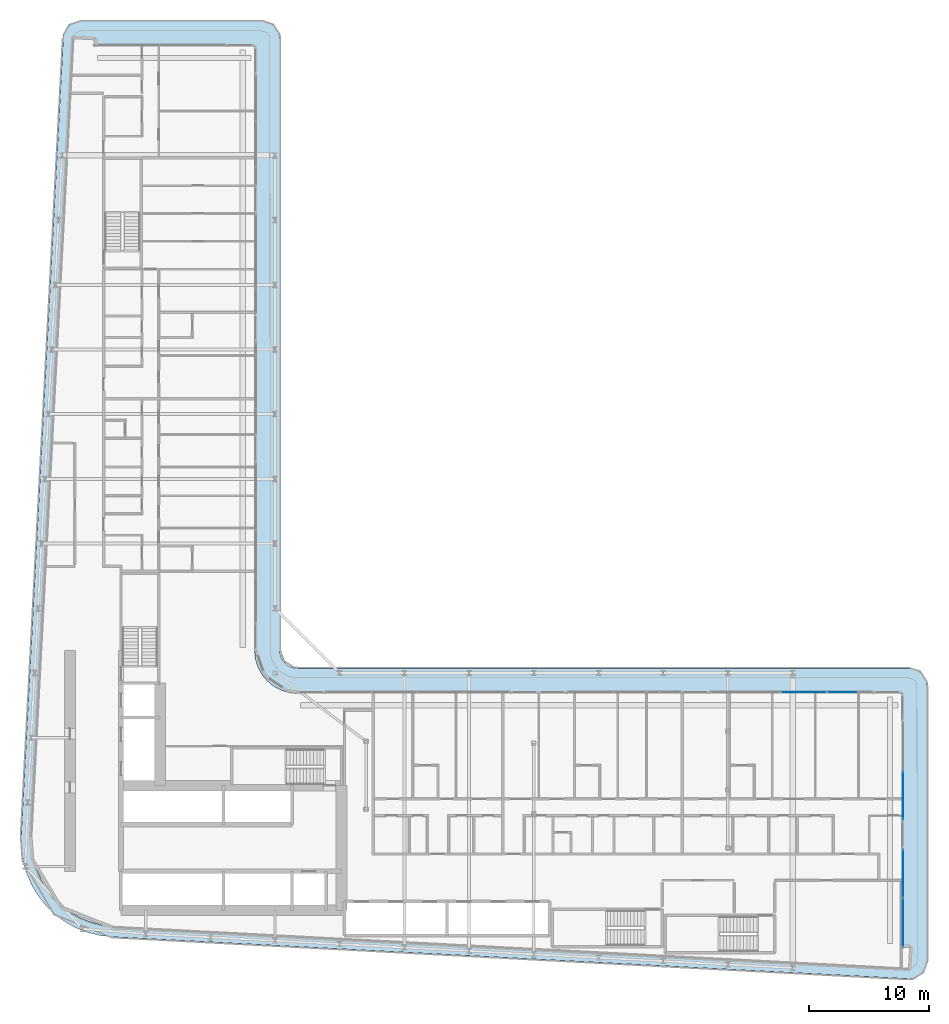
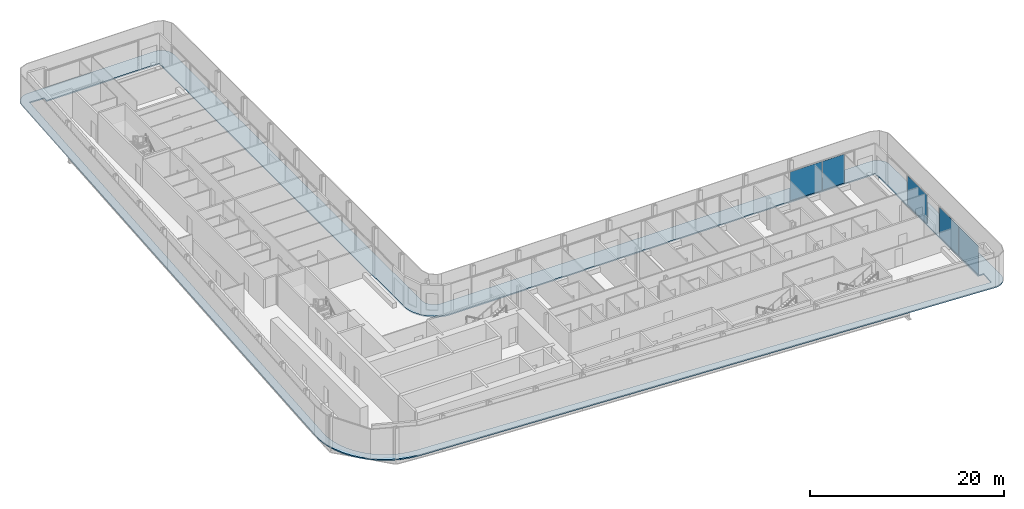
# One storey, part 12 of 29: 5 plates, 1 slab, 3 elements without a shape of their own.
"""IFC4 building model written with IfcOpenShell, lengths in metres."""

from ifc_helpers import new_model, si_unit, direction, frame, origin, origin_2d, place, context, subcontext, project, spatial, polyline, rectangle, outline, extrude, material, layer, layer_set, type_object, element, aggregate, save


model = new_model("IFC4")

# Units and contexts
model_context = context("Model", 3, precision=1e-05, world=origin(), true_north=direction((0.0, 1.0)))
body_context = subcontext(model_context, "Body", "Model", "MODEL_VIEW")
ifc_project = project(units=[si_unit("LENGTHUNIT", "METRE"), si_unit("AREAUNIT", "SQUARE_METRE"), si_unit("VOLUMEUNIT", "CUBIC_METRE"), si_unit("PLANEANGLEUNIT", "RADIAN"), si_unit("MASSUNIT", "GRAM", prefix="KILO")], contexts=[model_context])

# Site, building, storey
site_placement = place(None, origin())
site = spatial("IfcSite", under=ifc_project, at=site_placement, CompositionType="ELEMENT")
building_placement = place(site_placement, origin())
building = spatial("IfcBuilding", under=site, at=building_placement, Name="Kheshtan School and Residences Tower", CompositionType="ELEMENT")
storey_placement = place(building_placement, frame((0.0, 0.0, 117.5)))
storey = spatial("IfcBuildingStorey", under=building, at=storey_placement, Name="L27", CompositionType="ELEMENT", Elevation=117.5)

# Curtain wall, plates
ifc_material_1 = material(Name="Clear low-e glass in thermally broken aluminium frame", Category="aluminium")
ifc_layer_1 = layer(ifc_material_1, 0.199951171875)
ifc_layer_set_1 = layer_set([ifc_layer_1], Name="Curtain wall CW-L")
curtain_wall_type = type_object("IfcCurtainWallType", Name="Curtain wall CW-L", PredefinedType="NOTDEFINED", material=ifc_layer_set_1)
curtain_wall_1_placement = place(storey_placement, origin())
curtain_wall_1 = element("IfcCurtainWall", 1, at=curtain_wall_1_placement, inside=storey, type_object=curtain_wall_type, Name="Curtain wall CWL12k", PredefinedType="NOTDEFINED")
ifc_layer_2 = layer(ifc_material_1, 0.031982421875)
ifc_layer_set_2 = layer_set([ifc_layer_2], Name="CW-L glass panel")
plate_type = type_object("IfcPlateType", Name="CW-L glass panel", PredefinedType="CURTAIN_PANEL", material=ifc_layer_set_2)
plate_1_placement = place(storey_placement, frame((91.714599609375, 44.0, 0.0), z_axis=(0.0, 0.0, 1.0), x_axis=(1.0, 0.0, 0.0)))
plate_1 = element("IfcPlate", 2, at=plate_1_placement, type_object=plate_type, Name="CWL12k panel 1.1", PredefinedType="CURTAIN_PANEL", context=body_context, shape_type="SweptSolid", body=[
    extrude(rectangle(XDim=3.81689453125, YDim=0.031982421875, at=origin_2d()), origin(), (0.0, 0.0, 1.0), 3.6298828125),
])
plate_2_placement = place(storey_placement, frame((94.9765625, 44.0, 0.0), z_axis=(0.0, 0.0, 1.0), x_axis=(1.0, 0.0, 0.0)))
plate_2 = element("IfcPlate", 3, at=plate_2_placement, type_object=plate_type, Name="CWL12k panel 2.1", PredefinedType="CURTAIN_PANEL", context=body_context, shape_type="SweptSolid", body=[
    extrude(rectangle(XDim=2.5869140625, YDim=0.031982421875, at=origin_2d()), origin(), (0.0, 0.0, 1.0), 3.6298828125),
])
aggregate(curtain_wall_1, [plate_1, plate_2])

# Curtain wall, plate
curtain_wall_2_placement = place(storey_placement, origin())
curtain_wall_2 = element("IfcCurtainWall", 4, at=curtain_wall_2_placement, inside=storey, type_object=curtain_wall_type, Name="Curtain wall CWL13b", PredefinedType="NOTDEFINED")
plate_3_placement = place(storey_placement, frame((100.0, 35.370361328125, 0.0), z_axis=(0.0, 0.0, 1.0), x_axis=(0.0, -1.0, 0.0)))
plate_3 = element("IfcPlate", 5, at=plate_3_placement, type_object=plate_type, Name="CWL13b panel 2.1", PredefinedType="CURTAIN_PANEL", context=body_context, shape_type="SweptSolid", body=[
    extrude(rectangle(XDim=4.006591796875, YDim=0.031982421875, at=origin_2d()), origin(), (0.0, 0.0, 1.0), 3.6298828125),
])
aggregate(curtain_wall_2, [plate_3])

# Curtain wall, plates
curtain_wall_3_placement = place(storey_placement, origin())
curtain_wall_3 = element("IfcCurtainWall", 6, at=curtain_wall_3_placement, inside=storey, type_object=curtain_wall_type, Name="Curtain wall CWL13b", PredefinedType="NOTDEFINED")
plate_4_placement = place(storey_placement, frame((100.0, 28.84375, 0.0), z_axis=(0.0, 0.0, 1.0), x_axis=(0.0, -1.0, 0.0)))
plate_4 = element("IfcPlate", 7, at=plate_4_placement, type_object=plate_type, Name="CWL13b panel 1.1", PredefinedType="CURTAIN_PANEL", context=body_context, shape_type="SweptSolid", body=[
    extrude(rectangle(XDim=4.006591796875, YDim=0.031982421875, at=origin_2d()), origin(), (0.0, 0.0, 1.0), 3.6298828125),
])
plate_5_placement = place(storey_placement, frame((100.0, 24.77734375, 0.0), z_axis=(0.0, 0.0, 1.0), x_axis=(0.0, -1.0, 0.0)))
plate_5 = element("IfcPlate", 8, at=plate_5_placement, type_object=plate_type, Name="CWL13b panel 2.1", PredefinedType="CURTAIN_PANEL", context=body_context, shape_type="SweptSolid", body=[
    extrude(rectangle(XDim=4.006591796875, YDim=0.031982421875, at=origin_2d()), origin(), (0.0, 0.0, 1.0), 3.6298828125),
])
aggregate(curtain_wall_3, [plate_4, plate_5])

# Slab
ifc_material_2 = material(Name="Concrete C40/50", Category="concrete")
ifc_layer_3 = layer(ifc_material_2, 0.14990234375)
ifc_layer_set_3 = layer_set([ifc_layer_3], Name="Loggia balcony slab 150 Concrete C40/50")
slab_type = type_object("IfcSlabType", Name="Loggia balcony slab 150 Concrete C40/50", PredefinedType="FLOOR", material=ifc_layer_set_3)
slab_placement = place(storey_placement, frame((0.0, 0.0, -0.14990234375)))
element("IfcSlab", 9, at=slab_placement, inside=storey, type_object=slab_type, Name="Loggia balcony slab L27", PredefinedType="FLOOR", context=body_context, shape_type="SweptSolid", body=[
    extrude(outline(polyline([(28.4580078125, 26.222900390625), (28.45703125, 26.222900390625), (28.45703125, 26.22412109375), (28.4560546875, 26.22412109375), (27.81494140625, 27.0390625), (27.281005859375, 27.93798828125), (26.867919921875, 28.89990234375), (26.583984375, 29.89990234375), (26.583984375, 29.906982421875), (26.43408203125, 30.943115234375), (26.419921875, 31.989013671875), (29.925048828125, 98.5791015625), (29.930908203125, 98.626953125), (29.930908203125, 98.6279296875), (29.929931640625, 98.6279296875), (29.929931640625, 98.62890625), (29.928955078125, 98.62890625), (29.928955078125, 98.6298828125), (29.927978515625, 98.6298828125), (29.927978515625, 98.631103515625), (29.927001953125, 98.631103515625), (29.927001953125, 98.632080078125), (29.927001953125, 98.633056640625), (29.945068359375, 98.781005859375), (29.945068359375, 98.783935546875), (29.945068359375, 98.784912109375), (29.946044921875, 98.784912109375), (29.946044921875, 98.785888671875), (29.947021484375, 98.785888671875), (29.947021484375, 98.787109375), (29.947998046875, 98.787109375), (29.948974609375, 98.787109375), (29.948974609375, 98.7880859375), (29.949951171875, 98.7880859375), (29.949951171875, 98.7890625), (29.949951171875, 98.791015625), (30.0029296875, 98.98388671875), (30.083984375, 99.175048828125), (30.18896484375, 99.35302734375), (30.31103515625, 99.507080078125), (30.31201171875, 99.507080078125), (30.31201171875, 99.508056640625), (30.31298828125, 99.508056640625), (30.31298828125, 99.509033203125), (30.31396484375, 99.509033203125), (30.31396484375, 99.510009765625), (30.31494140625, 99.510009765625), (30.31494140625, 99.510986328125), (30.31591796875, 99.510986328125), (30.31591796875, 99.511962890625), (30.31689453125, 99.511962890625), (30.31689453125, 99.512939453125), (30.318115234375, 99.512939453125), (30.320068359375, 99.512939453125), (30.321044921875, 99.512939453125), (30.321044921875, 99.513916015625), (30.468017578125, 99.656982421875), (30.468994140625, 99.656982421875), (30.468994140625, 99.657958984375), (30.469970703125, 99.657958984375), (30.469970703125, 99.658935546875), (30.470947265625, 99.658935546875), (30.470947265625, 99.659912109375), (30.471923828125, 99.659912109375), (30.471923828125, 99.660888671875), (30.472900390625, 99.660888671875), (30.472900390625, 99.662109375), (30.47412109375, 99.662109375), (30.47412109375, 99.6630859375), (30.47509765625, 99.6630859375), (30.47509765625, 99.6640625), (30.635986328125, 99.777099609375), (30.820068359375, 99.873046875), (31.007080078125, 99.943115234375), (31.013916015625, 99.943115234375), (31.217041015625, 99.986083984375), (31.423095703125, 100.0), (46.5, 100.0), (46.696044921875, 99.987060546875), (46.887939453125, 99.948974609375), (46.89501953125, 99.948974609375), (47.073974609375, 99.885986328125), (47.243896484375, 99.801025390625), (47.2451171875, 99.801025390625), (47.2470703125, 99.801025390625), (47.248046875, 99.801025390625), (47.248046875, 99.802001953125), (47.2490234375, 99.802001953125), (47.2490234375, 99.802978515625), (47.25, 99.802978515625), (47.2529296875, 99.802978515625), (47.25390625, 99.802978515625), (47.25390625, 99.802001953125), (47.2548828125, 99.802001953125), (47.2548828125, 99.801025390625), (47.256103515625, 99.801025390625), (47.256103515625, 99.800048828125), (47.257080078125, 99.800048828125), (47.257080078125, 99.799072265625), (47.258056640625, 99.799072265625), (47.258056640625, 99.798095703125), (47.412109375, 99.696044921875), (47.4130859375, 99.696044921875), (47.4130859375, 99.695068359375), (47.4140625, 99.695068359375), (47.4140625, 99.694091796875), (47.4140625, 99.68994140625), (47.4140625, 99.68896484375), (47.4150390625, 99.68896484375), (47.4150390625, 99.68798828125), (47.416015625, 99.68798828125), (47.416015625, 99.68701171875), (47.4169921875, 99.68701171875), (47.4169921875, 99.68603515625), (47.554931640625, 99.568115234375), (47.554931640625, 99.56689453125), (47.555908203125, 99.56689453125), (47.555908203125, 99.56591796875), (47.556884765625, 99.56591796875), (47.556884765625, 99.56494140625), (47.55810546875, 99.56494140625), (47.55810546875, 99.56396484375), (47.55908203125, 99.56396484375), (47.55908203125, 99.56298828125), (47.56005859375, 99.56298828125), (47.56005859375, 99.56201171875), (47.56103515625, 99.56201171875), (47.56201171875, 99.56103515625), (47.56201171875, 99.56005859375), (47.56298828125, 99.56005859375), (47.56298828125, 99.55908203125), (47.56396484375, 99.55908203125), (47.56396484375, 99.55810546875), (47.56494140625, 99.55810546875), (47.56494140625, 99.556884765625), (47.56591796875, 99.556884765625), (47.56591796875, 99.555908203125), (47.56689453125, 99.555908203125), (47.56689453125, 99.554931640625), (47.568115234375, 99.554931640625), (47.68505859375, 99.41796875), (47.68603515625, 99.41796875), (47.68603515625, 99.4169921875), (47.68701171875, 99.4169921875), (47.68701171875, 99.416015625), (47.68798828125, 99.416015625), (47.68798828125, 99.4150390625), (47.68896484375, 99.4150390625), (47.68896484375, 99.4140625), (47.68994140625, 99.4140625), (47.694091796875, 99.4140625), (47.695068359375, 99.4140625), (47.695068359375, 99.4130859375), (47.696044921875, 99.4130859375), (47.696044921875, 99.412109375), (47.797119140625, 99.259033203125), (47.798095703125, 99.259033203125), (47.798095703125, 99.258056640625), (47.799072265625, 99.258056640625), (47.799072265625, 99.257080078125), (47.800048828125, 99.257080078125), (47.800048828125, 99.256103515625), (47.801025390625, 99.256103515625), (47.801025390625, 99.2548828125), (47.802001953125, 99.2548828125), (47.802001953125, 99.25390625), (47.802978515625, 99.25390625), (47.802978515625, 99.2529296875), (47.802978515625, 99.25), (47.802978515625, 99.2490234375), (47.802001953125, 99.2490234375), (47.802001953125, 99.248046875), (47.801025390625, 99.248046875), (47.801025390625, 99.2470703125), (47.801025390625, 99.243896484375), (47.801025390625, 99.242919921875), (47.885986328125, 99.073974609375), (47.948974609375, 98.89501953125), (47.948974609375, 98.887939453125), (47.987060546875, 98.696044921875), (48.0, 98.5), (48.0, 47.5), (48.012939453125, 47.303955078125), (48.051025390625, 47.113037109375), (48.051025390625, 47.10693359375), (48.051025390625, 47.10595703125), (48.114013671875, 46.926025390625), (48.200927734375, 46.75), (48.31005859375, 46.5869140625), (48.431884765625, 46.444091796875), (48.43310546875, 46.444091796875), (48.43310546875, 46.443115234375), (48.43408203125, 46.443115234375), (48.43408203125, 46.44189453125), (48.43505859375, 46.44189453125), (48.43505859375, 46.44091796875), (48.43603515625, 46.44091796875), (48.43603515625, 46.43994140625), (48.43701171875, 46.43994140625), (48.43701171875, 46.43896484375), (48.43798828125, 46.43896484375), (48.43896484375, 46.43798828125), (48.43896484375, 46.43701171875), (48.43994140625, 46.43701171875), (48.43994140625, 46.43603515625), (48.44091796875, 46.43603515625), (48.44091796875, 46.43505859375), (48.44189453125, 46.43505859375), (48.44189453125, 46.43408203125), (48.443115234375, 46.43408203125), (48.443115234375, 46.43310546875), (48.444091796875, 46.43310546875), (48.444091796875, 46.431884765625), (48.5869140625, 46.31005859375), (48.75, 46.200927734375), (48.926025390625, 46.114013671875), (49.10595703125, 46.051025390625), (49.10693359375, 46.051025390625), (49.113037109375, 46.051025390625), (49.303955078125, 46.012939453125), (49.5, 46.0), (100.5, 46.0), (100.696044921875, 45.987060546875), (100.887939453125, 45.948974609375), (100.89501953125, 45.948974609375), (101.073974609375, 45.885986328125), (101.241943359375, 45.801025390625), (101.242919921875, 45.801025390625), (101.2470703125, 45.801025390625), (101.248046875, 45.801025390625), (101.248046875, 45.802001953125), (101.2490234375, 45.802001953125), (101.2490234375, 45.802978515625), (101.25, 45.802978515625), (101.2529296875, 45.802978515625), (101.25390625, 45.802978515625), (101.25390625, 45.802001953125), (101.2548828125, 45.802001953125), (101.2548828125, 45.801025390625), (101.256103515625, 45.801025390625), (101.256103515625, 45.800048828125), (101.257080078125, 45.800048828125), (101.257080078125, 45.799072265625), (101.258056640625, 45.799072265625), (101.258056640625, 45.798095703125), (101.259033203125, 45.798095703125), (101.259033203125, 45.797119140625), (101.260009765625, 45.797119140625), (101.260009765625, 45.7958984375), (101.412109375, 45.696044921875), (101.4130859375, 45.696044921875), (101.4130859375, 45.695068359375), (101.4140625, 45.695068359375), (101.4140625, 45.694091796875), (101.4140625, 45.68994140625), (101.4140625, 45.68896484375), (101.4150390625, 45.68896484375), (101.4150390625, 45.68798828125), (101.416015625, 45.68798828125), (101.416015625, 45.68701171875), (101.4169921875, 45.68701171875), (101.4169921875, 45.68603515625), (101.41796875, 45.68603515625), (101.41796875, 45.68505859375), (101.4189453125, 45.68505859375), (101.4189453125, 45.68408203125), (101.554931640625, 45.568115234375), (101.554931640625, 45.56689453125), (101.555908203125, 45.56689453125), (101.555908203125, 45.56591796875), (101.556884765625, 45.56591796875), (101.556884765625, 45.56494140625), (101.55810546875, 45.56494140625), (101.55810546875, 45.56396484375), (101.55908203125, 45.56396484375), (101.55908203125, 45.56298828125), (101.56005859375, 45.56298828125), (101.56005859375, 45.56201171875), (101.56103515625, 45.56201171875), (101.56201171875, 45.56103515625), (101.56201171875, 45.56005859375), (101.56298828125, 45.56005859375), (101.56298828125, 45.55908203125), (101.56396484375, 45.55908203125), (101.56396484375, 45.55810546875), (101.56494140625, 45.55810546875), (101.56494140625, 45.556884765625), (101.56591796875, 45.556884765625), (101.56591796875, 45.555908203125), (101.56689453125, 45.555908203125), (101.56689453125, 45.554931640625), (101.568115234375, 45.554931640625), (101.681884765625, 45.4208984375), (101.68310546875, 45.4208984375), (101.68310546875, 45.419921875), (101.68408203125, 45.419921875), (101.68408203125, 45.4189453125), (101.68505859375, 45.4189453125), (101.68505859375, 45.41796875), (101.68603515625, 45.41796875), (101.68603515625, 45.4169921875), (101.68701171875, 45.4169921875), (101.68701171875, 45.416015625), (101.68798828125, 45.416015625), (101.68798828125, 45.4150390625), (101.68896484375, 45.4150390625), (101.68896484375, 45.4140625), (101.68994140625, 45.4140625), (101.694091796875, 45.4140625), (101.695068359375, 45.4140625), (101.695068359375, 45.4130859375), (101.696044921875, 45.4130859375), (101.696044921875, 45.412109375), (101.7939453125, 45.261962890625), (101.794921875, 45.261962890625), (101.794921875, 45.260986328125), (101.7958984375, 45.260986328125), (101.7958984375, 45.260009765625), (101.797119140625, 45.260009765625), (101.797119140625, 45.259033203125), (101.798095703125, 45.259033203125), (101.798095703125, 45.258056640625), (101.799072265625, 45.258056640625), (101.799072265625, 45.257080078125), (101.800048828125, 45.257080078125), (101.800048828125, 45.256103515625), (101.801025390625, 45.256103515625), (101.801025390625, 45.2548828125), (101.802001953125, 45.2548828125), (101.802001953125, 45.25390625), (101.802978515625, 45.25390625), (101.802978515625, 45.2529296875), (101.802978515625, 45.25), (101.802978515625, 45.2490234375), (101.802001953125, 45.2490234375), (101.802001953125, 45.248046875), (101.801025390625, 45.248046875), (101.801025390625, 45.2470703125), (101.801025390625, 45.240966796875), (101.801025390625, 45.239990234375), (101.885986328125, 45.073974609375), (101.948974609375, 44.89501953125), (101.948974609375, 44.887939453125), (101.987060546875, 44.696044921875), (102.0, 44.5), (102.0, 21.5810546875), (101.986083984375, 21.37890625), (101.945068359375, 21.179931640625), (101.945068359375, 21.173095703125), (101.8779296875, 20.989013671875), (101.785888671875, 20.80810546875), (101.6708984375, 20.64306640625), (101.6708984375, 20.64208984375), (101.6708984375, 20.64111328125), (101.6708984375, 20.639892578125), (101.672119140625, 20.639892578125), (101.672119140625, 20.638916015625), (101.672119140625, 20.636962890625), (101.672119140625, 20.635986328125), (101.6708984375, 20.635986328125), (101.6708984375, 20.635009765625), (101.5380859375, 20.491943359375), (101.534912109375, 20.489013671875), (101.533935546875, 20.489013671875), (101.533935546875, 20.488037109375), (101.532958984375, 20.488037109375), (101.531005859375, 20.488037109375), (101.530029296875, 20.488037109375), (101.530029296875, 20.489013671875), (101.529052734375, 20.489013671875), (101.528076171875, 20.489013671875), (101.527099609375, 20.489013671875), (101.3759765625, 20.364013671875), (101.2041015625, 20.256103515625), (101.01904296875, 20.174072265625), (100.8310546875, 20.116943359375), (100.823974609375, 20.116943359375), (100.6240234375, 20.0859375), (100.4208984375, 20.0830078125), (33.989013671875, 23.580078125), (33.94189453125, 23.5859375), (33.94091796875, 23.5859375), (33.93994140625, 23.5859375), (33.93994140625, 23.5849609375), (33.93896484375, 23.5849609375), (33.93896484375, 23.583984375), (33.93798828125, 23.583984375), (33.93798828125, 23.5830078125), (33.93701171875, 23.5830078125), (33.93701171875, 23.58203125), (33.93603515625, 23.58203125), (33.93505859375, 23.58203125), (32.952880859375, 23.697998046875), (32.949951171875, 23.697998046875), (32.948974609375, 23.697998046875), (32.948974609375, 23.698974609375), (32.947998046875, 23.698974609375), (32.947998046875, 23.699951171875), (32.947021484375, 23.699951171875), (32.947021484375, 23.700927734375), (32.947021484375, 23.702880859375), (32.947021484375, 23.7041015625), (32.946044921875, 23.7041015625), (32.946044921875, 23.705078125), (32.945068359375, 23.705078125), (32.944091796875, 23.705078125), (31.93603515625, 23.9609375), (31.928955078125, 23.9609375), (30.964111328125, 24.34912109375), (30.051025390625, 24.860107421875), (29.218994140625, 25.47900390625), (29.218994140625, 25.47998046875), (29.218017578125, 25.47998046875), (29.218017578125, 25.48095703125), (29.217041015625, 25.48095703125), (29.217041015625, 25.48193359375), (29.216064453125, 25.48193359375), (29.216064453125, 25.48291015625), (29.215087890625, 25.48291015625), (29.215087890625, 25.48388671875), (29.214111328125, 25.48388671875), (29.214111328125, 25.485107421875), (29.212890625, 25.485107421875), (29.212890625, 25.486083984375), (29.2119140625, 25.486083984375), (28.466064453125, 26.217041015625), (28.466064453125, 26.218017578125), (28.465087890625, 26.218017578125), (28.462890625, 26.218017578125), (28.4619140625, 26.218017578125), (28.4619140625, 26.218994140625), (28.4609375, 26.218994140625), (28.4609375, 26.219970703125), (28.4599609375, 26.219970703125), (28.4599609375, 26.220947265625), (28.458984375, 26.220947265625), (28.458984375, 26.221923828125), (28.4580078125, 26.221923828125), (28.4580078125, 26.222900390625)]), holes=[polyline([(29.12890625, 26.824951171875), (29.12890625, 26.823974609375), (29.1298828125, 26.823974609375), (29.1298828125, 26.822998046875), (29.131103515625, 26.822998046875), (29.131103515625, 26.822021484375), (29.132080078125, 26.822021484375), (29.132080078125, 26.821044921875), (29.133056640625, 26.821044921875), (29.133056640625, 26.820068359375), (29.134033203125, 26.820068359375), (29.7958984375, 26.173095703125), (29.7958984375, 26.172119140625), (29.797119140625, 26.172119140625), (29.798095703125, 26.172119140625), (29.799072265625, 26.172119140625), (29.799072265625, 26.1708984375), (29.800048828125, 26.1708984375), (29.800048828125, 26.169921875), (29.801025390625, 26.169921875), (29.801025390625, 26.1689453125), (29.802001953125, 26.1689453125), (29.802001953125, 26.16796875), (29.802978515625, 26.16796875), (29.802978515625, 26.1669921875), (29.803955078125, 26.1669921875), (29.803955078125, 26.166015625), (30.541015625, 25.616943359375), (31.35205078125, 25.1630859375), (32.208984375, 24.819091796875), (32.2099609375, 24.819091796875), (32.216064453125, 24.819091796875), (33.114990234375, 24.590087890625), (34.06591796875, 24.47705078125), (100.43798828125, 20.98291015625), (100.465087890625, 20.98388671875), (100.466064453125, 20.98388671875), (100.467041015625, 20.98388671875), (100.467041015625, 20.985107421875), (100.468017578125, 20.985107421875), (100.468017578125, 20.986083984375), (100.468017578125, 20.987060546875), (100.55810546875, 22.676025390625), (100.55810546875, 22.677001953125), (100.55810546875, 22.677978515625), (100.556884765625, 22.677978515625), (100.556884765625, 22.678955078125), (100.555908203125, 22.678955078125), (100.554931640625, 22.678955078125), (99.90087890625, 22.714111328125), (99.89990234375, 22.714111328125), (99.89990234375, 22.715087890625), (99.89990234375, 43.89794921875), (99.89990234375, 43.89892578125), (99.89892578125, 43.89892578125), (99.89892578125, 43.89990234375), (99.89794921875, 43.89990234375), (49.429931640625, 43.89990234375), (49.030029296875, 43.927001953125), (48.569091796875, 44.01806640625), (48.56201171875, 44.01806640625), (48.1201171875, 44.169921875), (47.697021484375, 44.37890625), (47.30810546875, 44.638916015625), (46.95703125, 44.944091796875), (46.95703125, 44.945068359375), (46.9560546875, 44.945068359375), (46.9560546875, 44.946044921875), (46.955078125, 44.946044921875), (46.955078125, 44.947021484375), (46.9541015625, 44.947021484375), (46.9541015625, 44.947998046875), (46.952880859375, 44.947998046875), (46.952880859375, 44.948974609375), (46.951904296875, 44.948974609375), (46.951904296875, 44.949951171875), (46.951904296875, 44.950927734375), (46.950927734375, 44.950927734375), (46.950927734375, 44.951904296875), (46.949951171875, 44.951904296875), (46.948974609375, 44.951904296875), (46.948974609375, 44.952880859375), (46.947998046875, 44.952880859375), (46.947998046875, 44.9541015625), (46.947021484375, 44.9541015625), (46.947021484375, 44.955078125), (46.946044921875, 44.955078125), (46.946044921875, 44.9560546875), (46.945068359375, 44.9560546875), (46.945068359375, 44.95703125), (46.944091796875, 44.95703125), (46.638916015625, 45.30810546875), (46.37890625, 45.697021484375), (46.169921875, 46.1201171875), (46.01806640625, 46.56201171875), (46.01806640625, 46.569091796875), (45.927001953125, 47.030029296875), (45.89990234375, 47.429931640625), (45.89990234375, 97.89794921875), (45.89990234375, 97.89892578125), (45.89892578125, 97.89892578125), (45.89892578125, 97.89990234375), (45.89794921875, 97.89990234375), (32.492919921875, 97.89990234375), (32.491943359375, 97.89990234375), (32.52099609375, 98.43896484375), (32.52099609375, 98.43994140625), (32.52099609375, 98.44091796875), (32.52001953125, 98.44091796875), (32.52001953125, 98.44189453125), (32.51904296875, 98.44189453125), (32.51806640625, 98.44189453125), (30.8291015625, 98.531982421875), (30.827880859375, 98.531982421875), (30.826904296875, 98.531982421875), (30.826904296875, 98.531005859375), (30.825927734375, 98.531005859375), (30.825927734375, 98.530029296875), (30.825927734375, 98.529052734375), (30.822021484375, 98.5009765625), (27.320068359375, 31.970947265625), (27.3330078125, 31.013916015625), (27.466064453125, 30.093994140625), (27.466064453125, 30.087890625), (27.466064453125, 30.0869140625), (27.718017578125, 29.200927734375), (28.0849609375, 28.345947265625), (28.55908203125, 27.550048828125), (29.126953125, 26.825927734375), (29.1279296875, 26.825927734375), (29.1279296875, 26.824951171875), (29.12890625, 26.824951171875)])]), origin(), (0.0, 0.0, 1.0), 0.14990234375),
])

save(model, "model.ifc")
